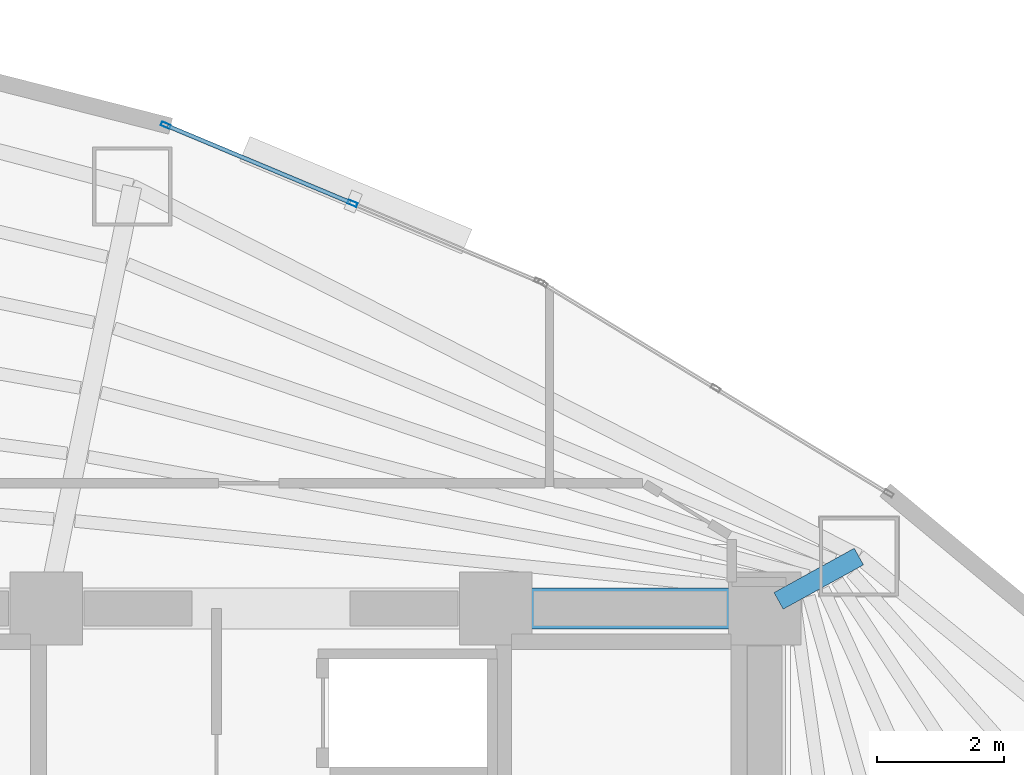
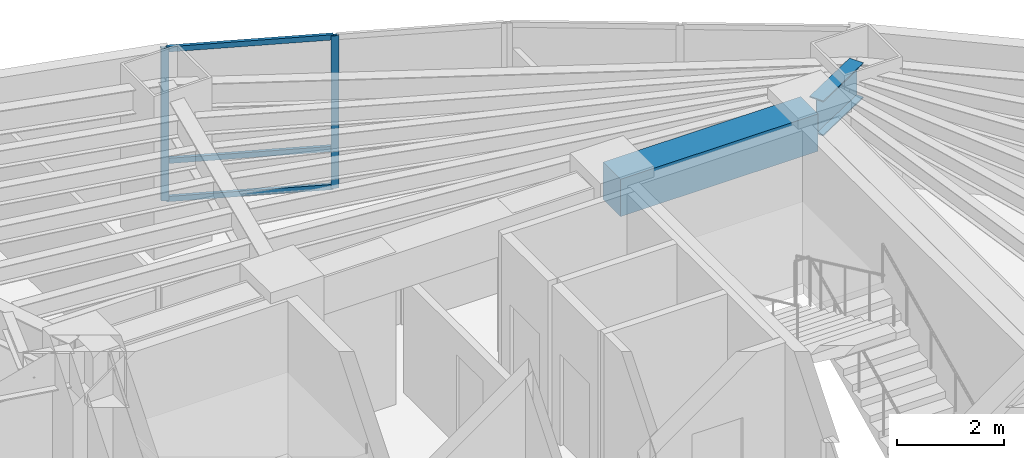
# One storey, part 9 of 18: 5 members, 2 beams, 1 element without a shape of its own.
"""IFC4 building model written with IfcOpenShell, lengths in metres."""

from ifc_helpers import new_model, si_unit, direction, frame, origin, origin_2d, place, context, subcontext, project, spatial, rectangle, hollow_rectangle, i_section, extrude, material, layer, layer_set, material_profile, profile_set, type_object, element, aggregate, save


model = new_model("IFC4")

# Units and contexts
model_context = context("Model", 3, precision=1e-05, world=origin(), true_north=direction((0.0, 1.0)))
body_context = subcontext(model_context, "Body", "Model", "MODEL_VIEW")
ifc_project = project(units=[si_unit("LENGTHUNIT", "METRE"), si_unit("AREAUNIT", "SQUARE_METRE"), si_unit("VOLUMEUNIT", "CUBIC_METRE"), si_unit("PLANEANGLEUNIT", "RADIAN"), si_unit("MASSUNIT", "GRAM", prefix="KILO")], contexts=[model_context])

# Site, building, storey
site_placement = place(None, origin())
site = spatial("IfcSite", under=ifc_project, at=site_placement, CompositionType="ELEMENT")
building_placement = place(site_placement, origin())
building = spatial("IfcBuilding", under=site, at=building_placement, Name="Menara Vayukalpa", CompositionType="ELEMENT")
storey_placement = place(building_placement, frame((0.0, 0.0, 130.02001953125)))
storey = spatial("IfcBuildingStorey", under=building, at=storey_placement, Name="L32", CompositionType="ELEMENT", Elevation=130.02001953125)

# Beams
ifc_material_1 = material(Name="Concrete C60/75", Category="concrete")
ifc_material_profile_1 = material_profile(ifc_material_1, rectangle(XDim=0.64990234375, YDim=0.85009765625, at=origin_2d()), Name="RC 650x850")
ifc_profile_set_1 = profile_set([ifc_material_profile_1], Name="Concrete C60/75")
beam_type_1 = type_object("IfcBeamType", Name="BM-CB1", PredefinedType="BEAM", material=ifc_profile_set_1)
beam_1_placement = place(storey_placement, frame((29.14990234375, 26.800048828125, 3.044921875), z_axis=(1.0, 0.0, 0.0), x_axis=(0.0, 1.0, 0.0)))
element("IfcBeam", 1, at=beam_1_placement, inside=storey, type_object=beam_type_1, Name="L32 Core Tie Beam CBR6", PredefinedType="BEAM", context=body_context, shape_type="SweptSolid", body=[
    extrude(rectangle(XDim=0.64990234375, YDim=0.85009765625, at=origin_2d()), origin(), (0.0, 0.0, 1.0), 4.25),
])
ifc_material_2 = material(Name="Steel S355", Category="steel")
ifc_material_profile_2 = material_profile(ifc_material_2, i_section(OverallWidth=0.300048828125, OverallDepth=0.800048828125, WebThickness=0.013916015625, FlangeThickness=0.02587890625, at=origin_2d()), Name="WF 800x300x14x26")
ifc_profile_set_2 = profile_set([ifc_material_profile_2], Name="Steel S355")
beam_type_2 = type_object("IfcBeamType", Name="BM-PG3", PredefinedType="BEAM", material=ifc_profile_set_2)
beam_2_placement = place(storey_placement, frame((33.618896484375, 26.9208984375, 3.070068359375), z_axis=(0.875228391676, 0.48370989488, 0.0), x_axis=(-0.48370989488, 0.875228391676, 0.0)))
element("IfcBeam", 2, at=beam_2_placement, inside=storey, type_object=beam_type_2, Name="L32 Primary Radial Girder RG02", PredefinedType="BEAM", context=body_context, shape_type="SweptSolid", body=[
    extrude(i_section(OverallWidth=0.300048828125, OverallDepth=0.800048828125, WebThickness=0.013916015625, FlangeThickness=0.02587890625, at=origin_2d()), origin(), (0.0, 0.0, 1.0), 1.448486328125),
])

# Curtain wall, members
ifc_material_3 = material(Name="Anodised Terracotta Aluminium Alloy 6063-T6", Category="masonry")
ifc_layer = layer(ifc_material_3, 0.14990234375)
ifc_layer_set = layer_set([ifc_layer], Name="Anodised Terracotta Aluminium Alloy 6063-T6")
curtain_wall_type = type_object("IfcCurtainWallType", Name="CW-CW3", PredefinedType="USERDEFINED", material=ifc_layer_set)
curtain_wall_placement = place(storey_placement, origin())
curtain_wall = element("IfcCurtainWall", 3, at=curtain_wall_placement, inside=storey, type_object=curtain_wall_type, Name="L32 Mid Rise Terracotta Ribbon Curtain Wall CW3 05", ObjectType="UNITISED", PredefinedType="USERDEFINED")
ifc_material_4 = material(Name="Anodised Terracotta Aluminium Alloy 6063-T6", Category="masonry")
ifc_material_profile_3 = material_profile(ifc_material_4, hollow_rectangle(XDim=0.06494140625, YDim=0.14990234375, WallThickness=0.00341796875, at=origin_2d()), Name="ALU 65x150x3.5")
ifc_profile_set_3 = profile_set([ifc_material_profile_3], Name="Anodised Terracotta Aluminium Alloy 6063-T6")
member_type_1 = type_object("IfcMemberType", Name="CWM-CW3", PredefinedType="MULLION", material=ifc_profile_set_3)
member_1_placement = place(storey_placement, frame((26.88671875, 33.201416015625, 0.0), z_axis=(0.0, 0.0, 1.0), x_axis=(-0.38589358437, -0.922543300632, 0.0)))
member_1 = element("IfcMember", 4, at=member_1_placement, type_object=member_type_1, Name="CW3 mullion 2", PredefinedType="MULLION", context=body_context, shape_type="SweptSolid", body=[
    extrude(hollow_rectangle(XDim=0.06494140625, YDim=0.14990234375, WallThickness=0.00341796875, at=origin_2d()), origin(), (0.0, 0.0, 1.0), 3.469970703125),
])
member_2_placement = place(storey_placement, frame((23.9375, 34.43505859375, 0.0), z_axis=(0.0, 0.0, 1.0), x_axis=(-0.38589358437, -0.922543300632, 0.0)))
member_2 = element("IfcMember", 5, at=member_2_placement, type_object=member_type_1, Name="CW3 mullion 3", PredefinedType="MULLION", context=body_context, shape_type="SweptSolid", body=[
    extrude(hollow_rectangle(XDim=0.06494140625, YDim=0.14990234375, WallThickness=0.00341796875, at=origin_2d()), origin(), (0.0, 0.0, 1.0), 3.469970703125),
])
ifc_material_5 = material(Name="Anodised Terracotta Aluminium Alloy 6063-T6", Category="masonry")
ifc_material_profile_4 = material_profile(ifc_material_5, hollow_rectangle(XDim=0.06494140625, YDim=0.1201171875, WallThickness=0.00341796875, at=origin_2d()), Name="ALU 65x120x3.5")
ifc_profile_set_4 = profile_set([ifc_material_profile_4], Name="Anodised Terracotta Aluminium Alloy 6063-T6")
member_type_2 = type_object("IfcMemberType", Name="CWT-CW3", PredefinedType="USERDEFINED", material=ifc_profile_set_4)
member_3_placement = place(storey_placement, frame((26.856689453125, 33.2138671875, 0.032470703125), z_axis=(-0.922529423765, 0.385926757673, 0.0), x_axis=(-0.385926757673, -0.922529423765, 0.0)))
member_3 = element("IfcMember", 6, at=member_3_placement, type_object=member_type_2, Name="CW3 transom 2.1", ObjectType="TRANSOM", PredefinedType="USERDEFINED", context=body_context, shape_type="SweptSolid", body=[
    extrude(hollow_rectangle(XDim=0.06494140625, YDim=0.1201171875, WallThickness=0.00341796875, at=origin_2d()), origin(), (0.0, 0.0, 1.0), 3.132080078125),
])
member_4_placement = place(storey_placement, frame((26.856689453125, 33.2138671875, 0.89990234375), z_axis=(-0.922529423765, 0.385926757673, 0.0), x_axis=(-0.385926757673, -0.922529423765, 0.0)))
member_4 = element("IfcMember", 7, at=member_4_placement, type_object=member_type_2, Name="CW3 transom 2.2", ObjectType="TRANSOM", PredefinedType="USERDEFINED", context=body_context, shape_type="SweptSolid", body=[
    extrude(hollow_rectangle(XDim=0.06494140625, YDim=0.1201171875, WallThickness=0.00341796875, at=origin_2d()), origin(), (0.0, 0.0, 1.0), 3.132080078125),
])
member_5_placement = place(storey_placement, frame((26.856689453125, 33.2138671875, 3.4375), z_axis=(-0.922529423765, 0.385926757673, 0.0), x_axis=(-0.385926757673, -0.922529423765, 0.0)))
member_5 = element("IfcMember", 8, at=member_5_placement, type_object=member_type_2, Name="CW3 transom 2.3", ObjectType="TRANSOM", PredefinedType="USERDEFINED", context=body_context, shape_type="SweptSolid", body=[
    extrude(hollow_rectangle(XDim=0.06494140625, YDim=0.1201171875, WallThickness=0.00341796875, at=origin_2d()), origin(), (0.0, 0.0, 1.0), 3.132080078125),
])
aggregate(curtain_wall, [member_1, member_2, member_3, member_4, member_5])

save(model, "model.ifc")
